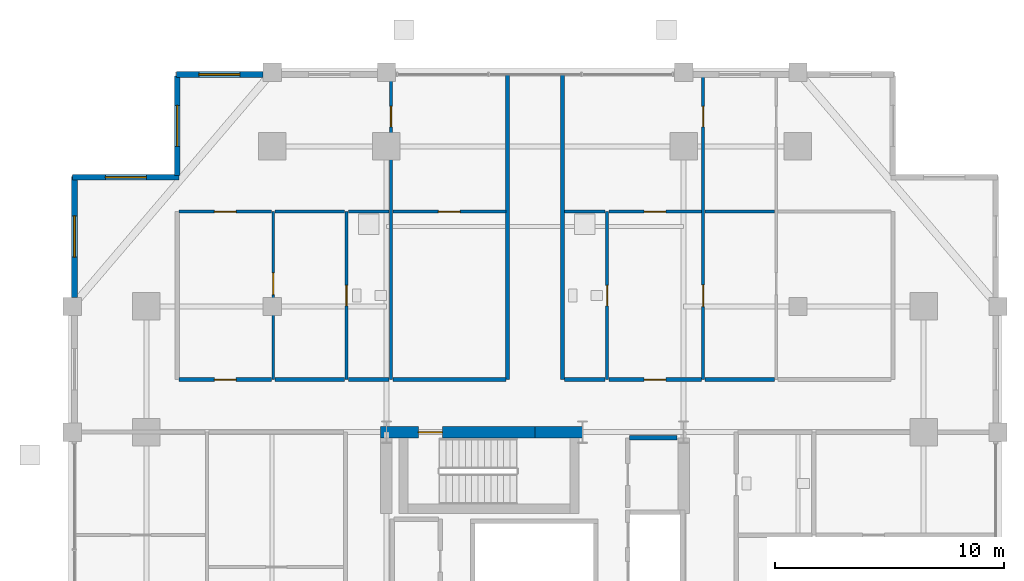
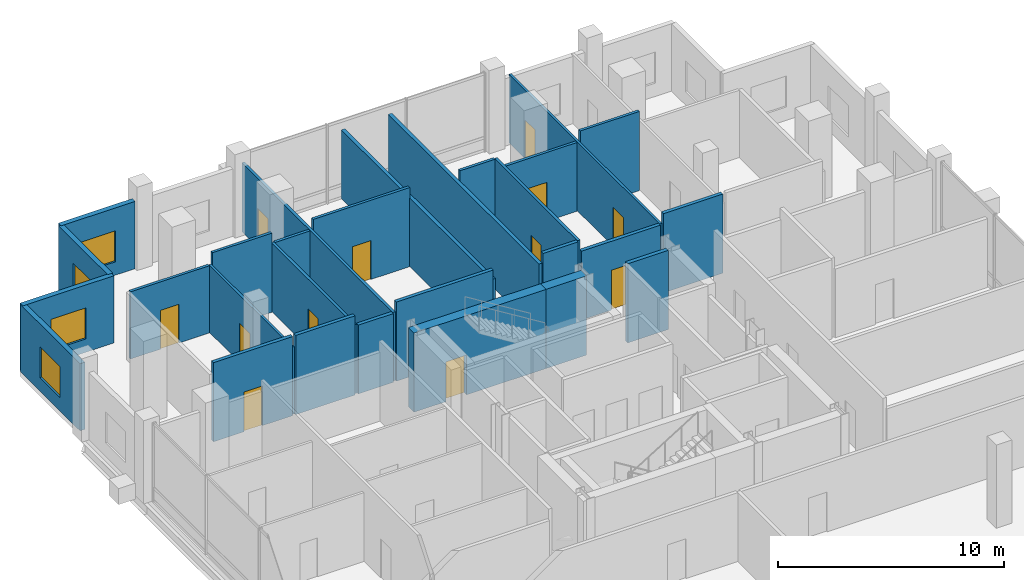
# One storey, part 16 of 19: 28 walls, 12 doors, 4 windows, 16 openings.
"""IFC4 building model written with IfcOpenShell, lengths in metres."""

from ifc_helpers import new_model, si_unit, direction, frame, frame_2d, origin, place, context, subcontext, project, spatial, rectangle, extrude, material, layer, layer_set, type_object, element, fill, save


model = new_model("IFC4")

# Units and contexts
model_context = context("Model", 3, precision=1e-05, world=origin(), true_north=direction((0.0, 1.0)))
body_context = subcontext(model_context, "Body", "Model", "MODEL_VIEW")
ifc_project = project(units=[si_unit("LENGTHUNIT", "METRE"), si_unit("AREAUNIT", "SQUARE_METRE"), si_unit("VOLUMEUNIT", "CUBIC_METRE"), si_unit("PLANEANGLEUNIT", "RADIAN"), si_unit("MASSUNIT", "GRAM", prefix="KILO")], contexts=[model_context])

# Site, building, storey
site_placement = place(None, origin())
site = spatial("IfcSite", under=ifc_project, at=site_placement, CompositionType="ELEMENT")
building_placement = place(site_placement, origin())
building = spatial("IfcBuilding", under=site, at=building_placement, Name="Barlavira Tower and Art Museum", CompositionType="ELEMENT")
storey_placement = place(building_placement, frame((0.0, 0.0, 125.10009765625)))
storey = spatial("IfcBuildingStorey", under=building, at=storey_placement, Name="L31", CompositionType="ELEMENT", Elevation=125.10009765625)

# Wall, opening, door
ifc_material_1 = material(Name="Gypsum acoustic stud partition", Category="gypsum")
ifc_layer_1 = layer(ifc_material_1, 0.1201171875, Name="Gypsum acoustic stud partition")
ifc_layer_set_1 = layer_set([ifc_layer_1], Name="Gypsum acoustic stud partition")
wall_type_1 = type_object("IfcWallType", Name="Apartment Internal Acoustic Partition 120", PredefinedType="PARTITIONING", material=ifc_layer_set_1)
wall_1_placement = place(storey_placement, frame((-11.449951171875, 9.800048828125, 0.0), z_axis=(0.0, 0.0, 1.0), x_axis=(0.0, 1.0, 0.0)))
wall_1 = element("IfcWall", 1, at=wall_1_placement, inside=storey, type_object=wall_type_1, Name="L31 Partition Wall 3", PredefinedType="PARTITIONING", context=body_context, shape_type="SweptSolid", body=[
    extrude(rectangle(XDim=7.349853515625, YDim=0.1201171875, at=frame_2d((3.6748046875, 0.0))), origin(), (0.0, 0.0, 1.0), 3.635986328125),
])
opening_1_placement = place(wall_1_placement, frame((3.71337890625, 0.0, 0.0)))
opening_1 = element("IfcOpeningElement", 2, at=opening_1_placement, cuts=wall_1, Name="Opening D-02", PredefinedType="OPENING", context=body_context, shape_type="SweptSolid", body=[
    extrude(rectangle(XDim=0.949951171875, YDim=2.10009765625, at=frame_2d((0.47509765625, 1.050048828125))), frame((0.0, 0.070068359375, 0.0), z_axis=(0.0, -1.0, 0.0), x_axis=(1.0, 0.0, 0.0)), (0.0, 0.0, 1.0), 0.14013671875),
])
ifc_material_2 = material(Name="Engineered coastal hardwood", Category="wood")
door_type_1 = type_object("IfcDoorType", Name="Living and Salon Glazed-Leaf Door 950x2100", OperationType="NOTDEFINED", PredefinedType="DOOR", material=ifc_material_2)
door_1_placement = place(opening_1_placement, origin())
door_1 = element("IfcDoor", 3, at=door_1_placement, inside=storey, type_object=door_type_1, Name="Apartment SKY-NW Kitchen Door", OperationType="SINGLE_SWING_RIGHT", OverallHeight=2.10009765625, OverallWidth=0.949951171875, PredefinedType="DOOR", context=body_context, shape_type="SweptSolid", body=[
    extrude(rectangle(XDim=0.949951171875, YDim=2.10009765625, at=frame_2d((0.47509765625, 1.050048828125))), frame((0.0, 0.02490234375, 0.0), z_axis=(0.0, -1.0, 0.0), x_axis=(1.0, 0.0, 0.0)), (0.0, 0.0, 1.0), 0.050048828125),
])
fill(opening_1, door_1)

# Wall, openings, doors
wall_2_placement = place(storey_placement, frame((7.35009765625, 9.800048828125, 0.0), z_axis=(0.0, 0.0, 1.0), x_axis=(0.0, 1.0, 0.0)))
wall_2 = element("IfcWall", 4, at=wall_2_placement, inside=storey, type_object=wall_type_1, Name="L31 Partition Wall 14", PredefinedType="PARTITIONING", context=body_context, shape_type="SweptSolid", body=[
    extrude(rectangle(XDim=13.349853515625, YDim=0.1201171875, at=frame_2d((6.6748046875, 0.0))), origin(), (0.0, 0.0, 1.0), 3.7158203125),
])
opening_2_placement = place(wall_2_placement, frame((3.195068359375, 0.0, 0.0)))
opening_2 = element("IfcOpeningElement", 5, at=opening_2_placement, cuts=wall_2, Name="Opening D-02", PredefinedType="OPENING", context=body_context, shape_type="SweptSolid", body=[
    extrude(rectangle(XDim=0.949951171875, YDim=2.10009765625, at=frame_2d((0.47509765625, 1.050048828125))), frame((0.0, 0.070068359375, 0.0), z_axis=(0.0, -1.0, 0.0), x_axis=(1.0, 0.0, 0.0)), (0.0, 0.0, 1.0), 0.14013671875),
])
opening_3_placement = place(wall_2_placement, frame((11.051025390625, 0.0, 0.0)))
opening_3 = element("IfcOpeningElement", 6, at=opening_3_placement, cuts=wall_2, Name="Opening D-01", PredefinedType="OPENING", context=body_context, shape_type="SweptSolid", body=[
    extrude(rectangle(XDim=0.89990234375, YDim=2.10009765625, at=frame_2d((0.449951171875, 1.050048828125))), frame((0.0, 0.070068359375, 0.0), z_axis=(0.0, -1.0, 0.0), x_axis=(1.0, 0.0, 0.0)), (0.0, 0.0, 1.0), 0.14013671875),
])
door_type_2 = type_object("IfcDoorType", Name="Internal Bedroom Timber Flush Door 900x2100", OperationType="NOTDEFINED", PredefinedType="DOOR", material=ifc_material_2)
door_2_placement = place(opening_3_placement, origin())
door_2 = element("IfcDoor", 7, at=door_2_placement, inside=storey, type_object=door_type_2, Name="Apartment SKY-NE Bedroom 1 Door", OperationType="SINGLE_SWING_RIGHT", OverallHeight=2.10009765625, OverallWidth=0.89990234375, PredefinedType="DOOR", context=body_context, shape_type="SweptSolid", body=[
    extrude(rectangle(XDim=0.89990234375, YDim=2.10009765625, at=frame_2d((0.449951171875, 1.050048828125))), frame((0.0, 0.02490234375, 0.0), z_axis=(0.0, -1.0, 0.0), x_axis=(1.0, 0.0, 0.0)), (0.0, 0.0, 1.0), 0.050048828125),
])
fill(opening_3, door_2)
door_3_placement = place(opening_2_placement, origin())
door_3 = element("IfcDoor", 8, at=door_3_placement, inside=storey, type_object=door_type_1, Name="Apartment SKY-NE Kitchen Door", OperationType="SINGLE_SWING_LEFT", OverallHeight=2.10009765625, OverallWidth=0.949951171875, PredefinedType="DOOR", context=body_context, shape_type="SweptSolid", body=[
    extrude(rectangle(XDim=0.949951171875, YDim=2.10009765625, at=frame_2d((0.47509765625, 1.050048828125))), frame((0.0, 0.02490234375, 0.0), z_axis=(0.0, -1.0, 0.0), x_axis=(1.0, 0.0, 0.0)), (0.0, 0.0, 1.0), 0.050048828125),
])
fill(opening_2, door_3)

# Wall, opening, door
ifc_material_3 = material(Name="Concrete C60", Category="concrete")
ifc_layer_2 = layer(ifc_material_3, 0.5, Name="Concrete C60")
ifc_layer_set_2 = layer_set([ifc_layer_2], Name="Concrete C60")
wall_type_2 = type_object("IfcWallType", Name="Core Structural Shear Wall 500 Concrete C60", PredefinedType="SHEAR", material=ifc_layer_set_2)
wall_3_placement = place(storey_placement, frame((-6.75, 7.5, 0.0), z_axis=(0.0, 0.0, 1.0), x_axis=(1.0, 0.0, 0.0)))
wall_3 = element("IfcWall", 9, at=wall_3_placement, inside=storey, type_object=wall_type_2, Name="L31 Core Shear Wall CS-NW", PredefinedType="SHEAR", context=body_context, shape_type="SweptSolid", body=[
    extrude(rectangle(XDim=6.75, YDim=0.5, at=frame_2d((3.375, 0.0))), origin(), (0.0, 0.0, 1.0), 4.27978515625),
])
opening_4_placement = place(wall_3_placement, frame((1.64990234375, 0.0, 0.0)))
opening_4 = element("IfcOpeningElement", 10, at=opening_4_placement, cuts=wall_3, Name="Opening FD-90", PredefinedType="OPENING", context=body_context, shape_type="SweptSolid", body=[
    extrude(rectangle(XDim=1.050048828125, YDim=2.14990234375, at=frame_2d((0.52490234375, 1.074951171875))), frame((0.0, 0.260009765625, 0.0), z_axis=(0.0, -1.0, 0.0), x_axis=(1.0, 0.0, 0.0)), (0.0, 0.0, 1.0), 0.52001953125),
])
ifc_material_4 = material(Name="Brushed stainless steel", Category="steel")
door_type_3 = type_object("IfcDoorType", Name="Stair and Refuge Fire Door 1050x2150 FD90S", OperationType="NOTDEFINED", PredefinedType="DOOR", material=ifc_material_4)
door_4_placement = place(opening_4_placement, origin())
door_4 = element("IfcDoor", 11, at=door_4_placement, inside=storey, type_object=door_type_3, Name="L31 Stair ST-T2 Fire Door", OperationType="SINGLE_SWING_LEFT", OverallHeight=2.14990234375, OverallWidth=1.050048828125, PredefinedType="DOOR", context=body_context, shape_type="SweptSolid", body=[
    extrude(rectangle(XDim=1.050048828125, YDim=2.14990234375, at=frame_2d((0.52490234375, 1.074951171875))), frame((0.0, 0.02490234375, 0.0), z_axis=(0.0, -1.0, 0.0), x_axis=(1.0, 0.0, 0.0)), (0.0, 0.0, 1.0), 0.050048828125),
])
fill(opening_4, door_4)

# Walls
wall_4_placement = place(storey_placement, frame((0.0, 7.5, 0.0), z_axis=(0.0, 0.0, 1.0), x_axis=(1.0, 0.0, 0.0)))
element("IfcWall", 12, at=wall_4_placement, inside=storey, type_object=wall_type_2, Name="L31 Core Shear Wall CS-EN", PredefinedType="SHEAR", context=body_context, shape_type="SweptSolid", body=[
    extrude(rectangle(XDim=2.080078125, YDim=0.5, at=frame_2d((1.0400390625, 0.0))), origin(), (0.0, 0.0, 1.0), 4.27978515625),
])
ifc_material_5 = material(Name="Autoclaved aerated concrete masonry", Category="masonry")
ifc_layer_3 = layer(ifc_material_5, 0.199951171875, Name="Autoclaved aerated concrete masonry")
ifc_layer_set_3 = layer_set([ifc_layer_3], Name="Autoclaved aerated concrete masonry")
wall_type_3 = type_object("IfcWallType", Name="Fire Compartment and Shaft Wall 200", PredefinedType="SOLIDWALL", material=ifc_layer_set_3)
wall_5_placement = place(storey_placement, frame((4.1298828125, 7.25, 0.0), z_axis=(0.0, 0.0, 1.0), x_axis=(1.0, 0.0, 0.0)))
element("IfcWall", 13, at=wall_5_placement, inside=storey, type_object=wall_type_3, Name="L31 Partition Wall 35", PredefinedType="SOLIDWALL", context=body_context, shape_type="SweptSolid", body=[
    extrude(rectangle(XDim=2.070068359375, YDim=0.199951171875, at=frame_2d((1.03515625, 0.0))), origin(), (0.0, 0.0, 1.0), 4.27978515625),
])
ifc_layer_4 = layer(ifc_material_1, 0.179931640625, Name="Gypsum acoustic stud partition")
ifc_layer_set_4 = layer_set([ifc_layer_4], Name="Gypsum acoustic stud partition")
wall_type_4 = type_object("IfcWallType", Name="Inter-Tenancy Party Partition Wall 180", PredefinedType="PARTITIONING", material=ifc_layer_set_4)
for number, where, z_axis, x_axis, name in (
    (14, (-1.199951171875, 9.800048828125, 0.0), (0.0, 0.0, 1.0), (0.0, 1.0, 0.0), "L31 Partition Wall 9"),
    (15, (1.199951171875, 9.800048828125, 0.0), (0.0, 0.0, 1.0), (0.0, 1.0, 0.0), "L31 Partition Wall 11"),
):
    element("IfcWall", number, at=place(storey_placement, frame(where, z_axis=z_axis, x_axis=x_axis)), inside=storey, type_object=wall_type_4, Name=name, PredefinedType="PARTITIONING", context=body_context, shape_type="SweptSolid", body=[
        extrude(rectangle(XDim=13.349853515625, YDim=0.179931640625, at=frame_2d((6.6748046875, 0.0))), origin(), (0.0, 0.0, 1.0), 3.7158203125),
    ])

# Wall, opening, door
wall_6_placement = place(storey_placement, frame((-15.570068359375, 9.800048828125, 0.0), z_axis=(0.0, 0.0, 1.0), x_axis=(1.0, 0.0, 0.0)))
wall_6 = element("IfcWall", 16, at=wall_6_placement, inside=storey, type_object=wall_type_4, Name="L31 Partition Wall 40", PredefinedType="PARTITIONING", context=body_context, shape_type="SweptSolid", body=[
    extrude(rectangle(XDim=4.0400390625, YDim=0.179931640625, at=frame_2d((2.02001953125, 0.0))), origin(), (0.0, 0.0, 1.0), 4.27978515625),
])
opening_5_placement = place(wall_6_placement, frame((1.544921875, 0.0, 0.0)))
opening_5 = element("IfcOpeningElement", 17, at=opening_5_placement, cuts=wall_6, Name="Opening FD-60", PredefinedType="OPENING", context=body_context, shape_type="SweptSolid", body=[
    extrude(rectangle(XDim=0.949951171875, YDim=2.14990234375, at=frame_2d((0.47509765625, 1.074951171875))), frame((0.0, 0.10009765625, 0.0), z_axis=(0.0, -1.0, 0.0), x_axis=(1.0, 0.0, 0.0)), (0.0, 0.0, 1.0), 0.199951171875),
])
door_type_4 = type_object("IfcDoorType", Name="Apartment Entrance and Riser Fire Door 950x2150 FD60S", OperationType="NOTDEFINED", PredefinedType="DOOR", material=ifc_material_4)
door_5_placement = place(opening_5_placement, origin())
door_5 = element("IfcDoor", 18, at=door_5_placement, inside=storey, type_object=door_type_4, Name="Apartment Entrance Hall SKY-NW Door", OperationType="SINGLE_SWING_LEFT", OverallHeight=2.14990234375, OverallWidth=0.949951171875, PredefinedType="DOOR", context=body_context, shape_type="SweptSolid", body=[
    extrude(rectangle(XDim=0.949951171875, YDim=2.14990234375, at=frame_2d((0.47509765625, 1.074951171875))), frame((0.0, 0.02490234375, 0.0), z_axis=(0.0, -1.0, 0.0), x_axis=(1.0, 0.0, 0.0)), (0.0, 0.0, 1.0), 0.050048828125),
])
fill(opening_5, door_5)

# Walls
wall_7_placement = place(storey_placement, frame((-11.3701171875, 9.800048828125, 0.0), z_axis=(0.0, 0.0, 1.0), x_axis=(1.0, 0.0, 0.0)))
element("IfcWall", 19, at=wall_7_placement, inside=storey, type_object=wall_type_4, Name="L31 Partition Wall 41", PredefinedType="PARTITIONING", context=body_context, shape_type="SweptSolid", body=[
    extrude(rectangle(XDim=3.0400390625, YDim=0.179931640625, at=frame_2d((1.52001953125, 0.0))), origin(), (0.0, 0.0, 1.0), 4.27978515625),
])
wall_8_placement = place(storey_placement, frame((-8.169921875, 9.800048828125, 0.0), z_axis=(0.0, 0.0, 1.0), x_axis=(1.0, 0.0, 0.0)))
element("IfcWall", 20, at=wall_8_placement, inside=storey, type_object=wall_type_4, Name="L31 Partition Wall 42", PredefinedType="PARTITIONING", context=body_context, shape_type="SweptSolid", body=[
    extrude(rectangle(XDim=1.7900390625, YDim=0.179931640625, at=frame_2d((0.89501953125, 0.0))), origin(), (0.0, 0.0, 1.0), 3.7158203125),
])
wall_9_placement = place(storey_placement, frame((-6.219970703125, 9.800048828125, 0.0), z_axis=(0.0, 0.0, 1.0), x_axis=(1.0, 0.0, 0.0)))
element("IfcWall", 21, at=wall_9_placement, inside=storey, type_object=wall_type_4, Name="L31 Partition Wall 43", PredefinedType="PARTITIONING", context=body_context, shape_type="SweptSolid", body=[
    extrude(rectangle(XDim=4.93994140625, YDim=0.179931640625, at=frame_2d((2.469970703125, 0.0))), origin(), (0.0, 0.0, 1.0), 4.27978515625),
])
wall_10_placement = place(storey_placement, frame((1.280029296875, 9.800048828125, 0.0), z_axis=(0.0, 0.0, 1.0), x_axis=(1.0, 0.0, 0.0)))
element("IfcWall", 22, at=wall_10_placement, inside=storey, type_object=wall_type_4, Name="L31 Partition Wall 44", PredefinedType="PARTITIONING", context=body_context, shape_type="SweptSolid", body=[
    extrude(rectangle(XDim=1.7900390625, YDim=0.179931640625, at=frame_2d((0.89501953125, 0.0))), origin(), (0.0, 0.0, 1.0), 4.27978515625),
])

# Wall, opening, door
wall_11_placement = place(storey_placement, frame((3.22998046875, 9.800048828125, 0.0), z_axis=(0.0, 0.0, 1.0), x_axis=(1.0, 0.0, 0.0)))
wall_11 = element("IfcWall", 23, at=wall_11_placement, inside=storey, type_object=wall_type_4, Name="L31 Partition Wall 45", PredefinedType="PARTITIONING", context=body_context, shape_type="SweptSolid", body=[
    extrude(rectangle(XDim=4.0400390625, YDim=0.179931640625, at=frame_2d((2.02001953125, 0.0))), origin(), (0.0, 0.0, 1.0), 3.7158203125),
])
opening_6_placement = place(wall_11_placement, frame((1.544921875, 0.0, 0.0)))
opening_6 = element("IfcOpeningElement", 24, at=opening_6_placement, cuts=wall_11, Name="Opening FD-60", PredefinedType="OPENING", context=body_context, shape_type="SweptSolid", body=[
    extrude(rectangle(XDim=0.949951171875, YDim=2.14990234375, at=frame_2d((0.47509765625, 1.074951171875))), frame((0.0, 0.10009765625, 0.0), z_axis=(0.0, -1.0, 0.0), x_axis=(1.0, 0.0, 0.0)), (0.0, 0.0, 1.0), 0.199951171875),
])
door_6_placement = place(opening_6_placement, origin())
door_6 = element("IfcDoor", 25, at=door_6_placement, inside=storey, type_object=door_type_4, Name="Apartment Entrance Hall SKY-NE Door", OperationType="SINGLE_SWING_RIGHT", OverallHeight=2.14990234375, OverallWidth=0.949951171875, PredefinedType="DOOR", context=body_context, shape_type="SweptSolid", body=[
    extrude(rectangle(XDim=0.949951171875, YDim=2.14990234375, at=frame_2d((0.47509765625, 1.074951171875))), frame((0.0, 0.02490234375, 0.0), z_axis=(0.0, -1.0, 0.0), x_axis=(1.0, 0.0, 0.0)), (0.0, 0.0, 1.0), 0.050048828125),
])
fill(opening_6, door_6)

# Wall
wall_12_placement = place(storey_placement, frame((7.429931640625, 9.800048828125, 0.0), z_axis=(0.0, 0.0, 1.0), x_axis=(1.0, 0.0, 0.0)))
element("IfcWall", 26, at=wall_12_placement, inside=storey, type_object=wall_type_4, Name="L31 Partition Wall 46", PredefinedType="PARTITIONING", context=body_context, shape_type="SweptSolid", body=[
    extrude(rectangle(XDim=3.0400390625, YDim=0.179931640625, at=frame_2d((1.52001953125, 0.0))), origin(), (0.0, 0.0, 1.0), 4.27978515625),
])

# Wall, opening, door
ifc_layer_5 = layer(ifc_material_1, 0.139892578125, Name="Gypsum acoustic stud partition")
ifc_layer_set_5 = layer_set([ifc_layer_5], Name="Gypsum acoustic stud partition")
wall_type_5 = type_object("IfcWallType", Name="Moisture-Resistant Bathroom Partition 140", PredefinedType="PARTITIONING", material=ifc_layer_set_5)
wall_13_placement = place(storey_placement, frame((-8.25, 9.800048828125, 0.0), z_axis=(0.0, 0.0, 1.0), x_axis=(0.0, 1.0, 0.0)))
wall_13 = element("IfcWall", 27, at=wall_13_placement, inside=storey, type_object=wall_type_5, Name="L31 Partition Wall 5", PredefinedType="PARTITIONING", context=body_context, shape_type="SweptSolid", body=[
    extrude(rectangle(XDim=7.349853515625, YDim=0.139892578125, at=frame_2d((3.6748046875, 0.0))), origin(), (0.0, 0.0, 1.0), 3.7158203125),
])
opening_7_placement = place(wall_13_placement, frame((3.219970703125, 0.0, 0.0)))
opening_7 = element("IfcOpeningElement", 28, at=opening_7_placement, cuts=wall_13, Name="Opening D-WC", PredefinedType="OPENING", context=body_context, shape_type="SweptSolid", body=[
    extrude(rectangle(XDim=0.89990234375, YDim=2.10009765625, at=frame_2d((0.449951171875, 1.050048828125))), frame((0.0, 0.080078125, 0.0), z_axis=(0.0, -1.0, 0.0), x_axis=(1.0, 0.0, 0.0)), (0.0, 0.0, 1.0), 0.159912109375),
])
door_type_5 = type_object("IfcDoorType", Name="Accessible Bathroom Flush Door 900x2100", OperationType="NOTDEFINED", PredefinedType="DOOR", material=ifc_material_2)
door_7_placement = place(opening_7_placement, origin())
door_7 = element("IfcDoor", 29, at=door_7_placement, inside=storey, type_object=door_type_5, Name="Apartment SKY-NW Hall Bathroom Door", OperationType="SINGLE_SWING_LEFT", OverallHeight=2.10009765625, OverallWidth=0.89990234375, PredefinedType="DOOR", context=body_context, shape_type="SweptSolid", body=[
    extrude(rectangle(XDim=0.89990234375, YDim=2.10009765625, at=frame_2d((0.449951171875, 1.050048828125))), frame((0.0, 0.02490234375, 0.0), z_axis=(0.0, -1.0, 0.0), x_axis=(1.0, 0.0, 0.0)), (0.0, 0.0, 1.0), 0.050048828125),
])
fill(opening_7, door_7)

wall_14_placement = place(storey_placement, frame((-6.300048828125, 9.800048828125, 0.0), z_axis=(0.0, 0.0, 1.0), x_axis=(0.0, 1.0, 0.0)))
wall_14 = element("IfcWall", 30, at=wall_14_placement, inside=storey, type_object=wall_type_5, Name="L31 Partition Wall 6", PredefinedType="PARTITIONING", context=body_context, shape_type="SweptSolid", body=[
    extrude(rectangle(XDim=13.349853515625, YDim=0.139892578125, at=frame_2d((6.6748046875, 0.0))), origin(), (0.0, 0.0, 1.0), 3.7158203125),
])
opening_8_placement = place(wall_14_placement, frame((11.051025390625, 0.0, 0.0)))
opening_8 = element("IfcOpeningElement", 31, at=opening_8_placement, cuts=wall_14, Name="Opening D-01", PredefinedType="OPENING", context=body_context, shape_type="SweptSolid", body=[
    extrude(rectangle(XDim=0.89990234375, YDim=2.10009765625, at=frame_2d((0.449951171875, 1.050048828125))), frame((0.0, 0.080078125, 0.0), z_axis=(0.0, -1.0, 0.0), x_axis=(1.0, 0.0, 0.0)), (0.0, 0.0, 1.0), 0.159912109375),
])
door_8_placement = place(opening_8_placement, origin())
door_8 = element("IfcDoor", 32, at=door_8_placement, inside=storey, type_object=door_type_2, Name="Apartment SKY-NW Bedroom 1 Door", OperationType="SINGLE_SWING_RIGHT", OverallHeight=2.10009765625, OverallWidth=0.89990234375, PredefinedType="DOOR", context=body_context, shape_type="SweptSolid", body=[
    extrude(rectangle(XDim=0.89990234375, YDim=2.10009765625, at=frame_2d((0.449951171875, 1.050048828125))), frame((0.0, 0.02490234375, 0.0), z_axis=(0.0, -1.0, 0.0), x_axis=(1.0, 0.0, 0.0)), (0.0, 0.0, 1.0), 0.050048828125),
])
fill(opening_8, door_8)

wall_15_placement = place(storey_placement, frame((3.14990234375, 9.800048828125, 0.0), z_axis=(0.0, 0.0, 1.0), x_axis=(0.0, 1.0, 0.0)))
wall_15 = element("IfcWall", 33, at=wall_15_placement, inside=storey, type_object=wall_type_5, Name="L31 Partition Wall 12", PredefinedType="PARTITIONING", context=body_context, shape_type="SweptSolid", body=[
    extrude(rectangle(XDim=7.349853515625, YDim=0.139892578125, at=frame_2d((3.6748046875, 0.0))), origin(), (0.0, 0.0, 1.0), 4.27978515625),
])
opening_9_placement = place(wall_15_placement, frame((3.219970703125, 0.0, 0.0)))
opening_9 = element("IfcOpeningElement", 34, at=opening_9_placement, cuts=wall_15, Name="Opening D-WC", PredefinedType="OPENING", context=body_context, shape_type="SweptSolid", body=[
    extrude(rectangle(XDim=0.89990234375, YDim=2.10009765625, at=frame_2d((0.449951171875, 1.050048828125))), frame((0.0, 0.080078125, 0.0), z_axis=(0.0, -1.0, 0.0), x_axis=(1.0, 0.0, 0.0)), (0.0, 0.0, 1.0), 0.159912109375),
])
door_9_placement = place(opening_9_placement, origin())
door_9 = element("IfcDoor", 35, at=door_9_placement, inside=storey, type_object=door_type_5, Name="Apartment SKY-NE Hall Bathroom Door", OperationType="SINGLE_SWING_LEFT", OverallHeight=2.10009765625, OverallWidth=0.89990234375, PredefinedType="DOOR", context=body_context, shape_type="SweptSolid", body=[
    extrude(rectangle(XDim=0.89990234375, YDim=2.10009765625, at=frame_2d((0.449951171875, 1.050048828125))), frame((0.0, 0.02490234375, 0.0), z_axis=(0.0, -1.0, 0.0), x_axis=(1.0, 0.0, 0.0)), (0.0, 0.0, 1.0), 0.050048828125),
])
fill(opening_9, door_9)

wall_16_placement = place(storey_placement, frame((-15.570068359375, 17.14990234375, 0.0), z_axis=(0.0, 0.0, 1.0), x_axis=(1.0, 0.0, 0.0)))
wall_16 = element("IfcWall", 36, at=wall_16_placement, inside=storey, type_object=wall_type_5, Name="L31 Partition Wall 48", PredefinedType="PARTITIONING", context=body_context, shape_type="SweptSolid", body=[
    extrude(rectangle(XDim=4.0400390625, YDim=0.139892578125, at=frame_2d((2.02001953125, 0.0))), origin(), (0.0, 0.0, 1.0), 3.635986328125),
])
opening_10_placement = place(wall_16_placement, frame((1.544921875, 0.0, 0.0)))
opening_10 = element("IfcOpeningElement", 37, at=opening_10_placement, cuts=wall_16, Name="Opening D-02", PredefinedType="OPENING", context=body_context, shape_type="SweptSolid", body=[
    extrude(rectangle(XDim=0.949951171875, YDim=2.10009765625, at=frame_2d((0.47509765625, 1.050048828125))), frame((0.0, 0.080078125, 0.0), z_axis=(0.0, -1.0, 0.0), x_axis=(1.0, 0.0, 0.0)), (0.0, 0.0, 1.0), 0.159912109375),
])
door_10_placement = place(opening_10_placement, origin())
door_10 = element("IfcDoor", 38, at=door_10_placement, inside=storey, type_object=door_type_1, Name="Apartment SKY-NW Living Lounge Door", OperationType="SINGLE_SWING_LEFT", OverallHeight=2.10009765625, OverallWidth=0.949951171875, PredefinedType="DOOR", context=body_context, shape_type="SweptSolid", body=[
    extrude(rectangle(XDim=0.949951171875, YDim=2.10009765625, at=frame_2d((0.47509765625, 1.050048828125))), frame((0.0, 0.02490234375, 0.0), z_axis=(0.0, -1.0, 0.0), x_axis=(1.0, 0.0, 0.0)), (0.0, 0.0, 1.0), 0.050048828125),
])
fill(opening_10, door_10)

# Walls
wall_17_placement = place(storey_placement, frame((-11.3701171875, 17.14990234375, 0.0), z_axis=(0.0, 0.0, 1.0), x_axis=(1.0, 0.0, 0.0)))
element("IfcWall", 39, at=wall_17_placement, inside=storey, type_object=wall_type_5, Name="L31 Partition Wall 49", PredefinedType="PARTITIONING", context=body_context, shape_type="SweptSolid", body=[
    extrude(rectangle(XDim=3.0400390625, YDim=0.139892578125, at=frame_2d((1.52001953125, 0.0))), origin(), (0.0, 0.0, 1.0), 4.27978515625),
])
wall_18_placement = place(storey_placement, frame((-8.169921875, 17.14990234375, 0.0), z_axis=(0.0, 0.0, 1.0), x_axis=(1.0, 0.0, 0.0)))
element("IfcWall", 40, at=wall_18_placement, inside=storey, type_object=wall_type_5, Name="L31 Partition Wall 50", PredefinedType="PARTITIONING", context=body_context, shape_type="SweptSolid", body=[
    extrude(rectangle(XDim=1.7900390625, YDim=0.139892578125, at=frame_2d((0.89501953125, 0.0))), origin(), (0.0, 0.0, 1.0), 3.7158203125),
])

# Wall, opening, door
wall_19_placement = place(storey_placement, frame((-6.219970703125, 17.14990234375, 0.0), z_axis=(0.0, 0.0, 1.0), x_axis=(1.0, 0.0, 0.0)))
wall_19 = element("IfcWall", 41, at=wall_19_placement, inside=storey, type_object=wall_type_5, Name="L31 Partition Wall 51", PredefinedType="PARTITIONING", context=body_context, shape_type="SweptSolid", body=[
    extrude(rectangle(XDim=4.93994140625, YDim=0.139892578125, at=frame_2d((2.469970703125, 0.0))), origin(), (0.0, 0.0, 1.0), 4.27978515625),
])
opening_11_placement = place(wall_19_placement, frame((1.9951171875, 0.0, 0.0)))
opening_11 = element("IfcOpeningElement", 42, at=opening_11_placement, cuts=wall_19, Name="Opening D-02", PredefinedType="OPENING", context=body_context, shape_type="SweptSolid", body=[
    extrude(rectangle(XDim=0.949951171875, YDim=2.10009765625, at=frame_2d((0.47509765625, 1.050048828125))), frame((0.0, 0.080078125, 0.0), z_axis=(0.0, -1.0, 0.0), x_axis=(1.0, 0.0, 0.0)), (0.0, 0.0, 1.0), 0.159912109375),
])
door_11_placement = place(opening_11_placement, origin())
door_11 = element("IfcDoor", 43, at=door_11_placement, inside=storey, type_object=door_type_1, Name="Apartment SKY-NW Dining Salon Door", OperationType="SINGLE_SWING_RIGHT", OverallHeight=2.10009765625, OverallWidth=0.949951171875, PredefinedType="DOOR", context=body_context, shape_type="SweptSolid", body=[
    extrude(rectangle(XDim=0.949951171875, YDim=2.10009765625, at=frame_2d((0.47509765625, 1.050048828125))), frame((0.0, 0.02490234375, 0.0), z_axis=(0.0, -1.0, 0.0), x_axis=(1.0, 0.0, 0.0)), (0.0, 0.0, 1.0), 0.050048828125),
])
fill(opening_11, door_11)

# Wall
wall_20_placement = place(storey_placement, frame((1.280029296875, 17.14990234375, 0.0), z_axis=(0.0, 0.0, 1.0), x_axis=(1.0, 0.0, 0.0)))
element("IfcWall", 44, at=wall_20_placement, inside=storey, type_object=wall_type_5, Name="L31 Partition Wall 52", PredefinedType="PARTITIONING", context=body_context, shape_type="SweptSolid", body=[
    extrude(rectangle(XDim=1.7900390625, YDim=0.139892578125, at=frame_2d((0.89501953125, 0.0))), origin(), (0.0, 0.0, 1.0), 4.27978515625),
])

# Wall, opening, door
wall_21_placement = place(storey_placement, frame((3.22998046875, 17.14990234375, 0.0), z_axis=(0.0, 0.0, 1.0), x_axis=(1.0, 0.0, 0.0)))
wall_21 = element("IfcWall", 45, at=wall_21_placement, inside=storey, type_object=wall_type_5, Name="L31 Partition Wall 53", PredefinedType="PARTITIONING", context=body_context, shape_type="SweptSolid", body=[
    extrude(rectangle(XDim=4.0400390625, YDim=0.139892578125, at=frame_2d((2.02001953125, 0.0))), origin(), (0.0, 0.0, 1.0), 3.7158203125),
])
opening_12_placement = place(wall_21_placement, frame((1.544921875, 0.0, 0.0)))
opening_12 = element("IfcOpeningElement", 46, at=opening_12_placement, cuts=wall_21, Name="Opening D-02", PredefinedType="OPENING", context=body_context, shape_type="SweptSolid", body=[
    extrude(rectangle(XDim=0.949951171875, YDim=2.10009765625, at=frame_2d((0.47509765625, 1.050048828125))), frame((0.0, 0.080078125, 0.0), z_axis=(0.0, -1.0, 0.0), x_axis=(1.0, 0.0, 0.0)), (0.0, 0.0, 1.0), 0.159912109375),
])
door_12_placement = place(opening_12_placement, origin())
door_12 = element("IfcDoor", 47, at=door_12_placement, inside=storey, type_object=door_type_1, Name="Apartment SKY-NE Living Lounge Door", OperationType="SINGLE_SWING_LEFT", OverallHeight=2.10009765625, OverallWidth=0.949951171875, PredefinedType="DOOR", context=body_context, shape_type="SweptSolid", body=[
    extrude(rectangle(XDim=0.949951171875, YDim=2.10009765625, at=frame_2d((0.47509765625, 1.050048828125))), frame((0.0, 0.02490234375, 0.0), z_axis=(0.0, -1.0, 0.0), x_axis=(1.0, 0.0, 0.0)), (0.0, 0.0, 1.0), 0.050048828125),
])
fill(opening_12, door_12)

# Wall
wall_22_placement = place(storey_placement, frame((7.429931640625, 17.14990234375, 0.0), z_axis=(0.0, 0.0, 1.0), x_axis=(1.0, 0.0, 0.0)))
element("IfcWall", 48, at=wall_22_placement, inside=storey, type_object=wall_type_5, Name="L31 Partition Wall 54", PredefinedType="PARTITIONING", context=body_context, shape_type="SweptSolid", body=[
    extrude(rectangle(XDim=3.0400390625, YDim=0.139892578125, at=frame_2d((1.52001953125, 0.0))), origin(), (0.0, 0.0, 1.0), 4.27978515625),
])

# Wall, opening, window
ifc_material_6 = material(Name="Precast concrete C40", Category="concrete")
ifc_layer_6 = layer(ifc_material_6, 0.25, Name="Precast concrete C40")
ifc_layer_set_6 = layer_set([ifc_layer_6], Name="Precast concrete C40")
wall_type_6 = type_object("IfcWallType", Name="Notched Corner Spandrel Wall 250 Precast Concrete C40", PredefinedType="SOLIDWALL", material=ifc_layer_set_6)
wall_23_placement = place(storey_placement, frame((-11.89501953125, 23.14990234375, 0.0), z_axis=(0.0, 0.0, 1.0), x_axis=(-1.0, 0.0, 0.0)))
wall_23 = element("IfcWall", 49, at=wall_23_placement, inside=storey, type_object=wall_type_6, Name="L31 Coastal Facade Pier Wall CW2-L31-N-5", PredefinedType="SOLIDWALL", context=body_context, shape_type="SweptSolid", body=[
    extrude(rectangle(XDim=3.780029296875, YDim=0.25, at=frame_2d((1.89013671875, 0.0))), origin(), (0.0, 0.0, 1.0), 3.635986328125),
])
opening_13_placement = place(wall_23_placement, frame((1.012939453125, 0.0, 0.719970703125)))
opening_13 = element("IfcOpeningElement", 50, at=opening_13_placement, cuts=wall_23, Name="Opening WN-01", PredefinedType="OPENING", context=body_context, shape_type="SweptSolid", body=[
    extrude(rectangle(XDim=1.800048828125, YDim=1.679931640625, at=frame_2d((0.89990234375, 0.83984375))), frame((0.0, 0.135009765625, 0.0), z_axis=(0.0, -1.0, 0.0), x_axis=(1.0, 0.0, 0.0)), (0.0, 0.0, 1.0), 0.27001953125),
])
ifc_material_7 = material(Name="Low-iron coastal laminated glass", Category="glass")
window_type = type_object("IfcWindowType", Name="Recessed Notch Corner Punch Window 1800x1680", PartitioningType="SINGLE_PANEL", PredefinedType="WINDOW", material=ifc_material_7)
window_1_placement = place(opening_13_placement, origin())
window_1 = element("IfcWindow", 51, at=window_1_placement, inside=storey, type_object=window_type, Name="L31 Punched Facade Window EWP-CW2-L31-N-5-1", OverallHeight=1.679931640625, OverallWidth=1.800048828125, PartitioningType="SINGLE_PANEL", PredefinedType="WINDOW", context=body_context, shape_type="SweptSolid", body=[
    extrude(rectangle(XDim=1.800048828125, YDim=1.679931640625, at=frame_2d((0.89990234375, 0.83984375))), frame((0.0, 0.030029296875, 0.0), z_axis=(0.0, -1.0, 0.0), x_axis=(1.0, 0.0, 0.0)), (0.0, 0.0, 1.0), 0.06005859375),
])
fill(opening_13, window_1)

wall_24_placement = place(storey_placement, frame((-20.14990234375, 18.675048828125, 0.0), z_axis=(0.0, 0.0, 1.0), x_axis=(0.0, -1.0, 0.0)))
wall_24 = element("IfcWall", 52, at=wall_24_placement, inside=storey, type_object=wall_type_6, Name="L31 Coastal Facade Pier Wall CW2-L31-W-1", PredefinedType="SOLIDWALL", context=body_context, shape_type="SweptSolid", body=[
    extrude(rectangle(XDim=5.280029296875, YDim=0.25, at=frame_2d((2.64013671875, 0.0))), origin(), (0.0, 0.0, 1.0), 3.635986328125),
])
opening_14_placement = place(wall_24_placement, frame((1.718017578125, 0.0, 0.719970703125)))
opening_14 = element("IfcOpeningElement", 53, at=opening_14_placement, cuts=wall_24, Name="Opening WN-01", PredefinedType="OPENING", context=body_context, shape_type="SweptSolid", body=[
    extrude(rectangle(XDim=1.800048828125, YDim=1.679931640625, at=frame_2d((0.89990234375, 0.83984375))), frame((0.0, 0.135009765625, 0.0), z_axis=(0.0, -1.0, 0.0), x_axis=(1.0, 0.0, 0.0)), (0.0, 0.0, 1.0), 0.27001953125),
])
window_2_placement = place(opening_14_placement, origin())
window_2 = element("IfcWindow", 54, at=window_2_placement, inside=storey, type_object=window_type, Name="L31 Punched Facade Window EWP-CW2-L31-W-1-1", OverallHeight=1.679931640625, OverallWidth=1.800048828125, PartitioningType="SINGLE_PANEL", PredefinedType="WINDOW", context=body_context, shape_type="SweptSolid", body=[
    extrude(rectangle(XDim=1.800048828125, YDim=1.679931640625, at=frame_2d((0.89990234375, 0.83984375))), frame((0.0, 0.030029296875, 0.0), z_axis=(0.0, -1.0, 0.0), x_axis=(1.0, 0.0, 0.0)), (0.0, 0.0, 1.0), 0.06005859375),
])
fill(opening_14, window_2)

wall_25_placement = place(storey_placement, frame((-15.64990234375, 23.070068359375, 0.0), z_axis=(0.0, 0.0, 1.0), x_axis=(0.0, -1.0, 0.0)))
wall_25 = element("IfcWall", 55, at=wall_25_placement, inside=storey, type_object=wall_type_6, Name="L31 Notch Corner Wall NW1", PredefinedType="SOLIDWALL", context=body_context, shape_type="SweptSolid", body=[
    extrude(rectangle(XDim=4.340087890625, YDim=0.25, at=frame_2d((2.169921875, 0.0))), origin(), (0.0, 0.0, 1.0), 3.635986328125),
])
opening_15_placement = place(wall_25_placement, frame((1.27001953125, 0.0, 0.719970703125)))
opening_15 = element("IfcOpeningElement", 56, at=opening_15_placement, cuts=wall_25, Name="Opening WN-01", PredefinedType="OPENING", context=body_context, shape_type="SweptSolid", body=[
    extrude(rectangle(XDim=1.800048828125, YDim=1.679931640625, at=frame_2d((0.89990234375, 0.83984375))), frame((0.0, 0.135009765625, 0.0), z_axis=(0.0, -1.0, 0.0), x_axis=(1.0, 0.0, 0.0)), (0.0, 0.0, 1.0), 0.27001953125),
])
window_3_placement = place(opening_15_placement, origin())
window_3 = element("IfcWindow", 57, at=window_3_placement, inside=storey, type_object=window_type, Name="L31 Punched Facade Window EW-NTC-L31-NW1-1", OverallHeight=1.679931640625, OverallWidth=1.800048828125, PartitioningType="SINGLE_PANEL", PredefinedType="WINDOW", context=body_context, shape_type="SweptSolid", body=[
    extrude(rectangle(XDim=1.800048828125, YDim=1.679931640625, at=frame_2d((0.89990234375, 0.83984375))), frame((0.0, 0.030029296875, 0.0), z_axis=(0.0, -1.0, 0.0), x_axis=(1.0, 0.0, 0.0)), (0.0, 0.0, 1.0), 0.06005859375),
])
fill(opening_15, window_3)

wall_26_placement = place(storey_placement, frame((-15.570068359375, 18.64990234375, 0.0), z_axis=(0.0, 0.0, 1.0), x_axis=(-1.0, 0.0, 0.0)))
wall_26 = element("IfcWall", 58, at=wall_26_placement, inside=storey, type_object=wall_type_6, Name="L31 Notch Corner Wall NW2", PredefinedType="SOLIDWALL", context=body_context, shape_type="SweptSolid", body=[
    extrude(rectangle(XDim=4.659912109375, YDim=0.25, at=frame_2d((2.330078125, 0.0))), origin(), (0.0, 0.0, 1.0), 3.635986328125),
])
opening_16_placement = place(wall_26_placement, frame((1.429931640625, 0.0, 0.719970703125)))
opening_16 = element("IfcOpeningElement", 59, at=opening_16_placement, cuts=wall_26, Name="Opening WN-01", PredefinedType="OPENING", context=body_context, shape_type="SweptSolid", body=[
    extrude(rectangle(XDim=1.800048828125, YDim=1.679931640625, at=frame_2d((0.89990234375, 0.83984375))), frame((0.0, 0.135009765625, 0.0), z_axis=(0.0, -1.0, 0.0), x_axis=(1.0, 0.0, 0.0)), (0.0, 0.0, 1.0), 0.27001953125),
])
window_4_placement = place(opening_16_placement, origin())
window_4 = element("IfcWindow", 60, at=window_4_placement, inside=storey, type_object=window_type, Name="L31 Punched Facade Window EW-NTC-L31-NW2-1", OverallHeight=1.679931640625, OverallWidth=1.800048828125, PartitioningType="SINGLE_PANEL", PredefinedType="WINDOW", context=body_context, shape_type="SweptSolid", body=[
    extrude(rectangle(XDim=1.800048828125, YDim=1.679931640625, at=frame_2d((0.89990234375, 0.83984375))), frame((0.0, 0.030029296875, 0.0), z_axis=(0.0, -1.0, 0.0), x_axis=(1.0, 0.0, 0.0)), (0.0, 0.0, 1.0), 0.06005859375),
])
fill(opening_16, window_4)

save(model, "model.ifc")
